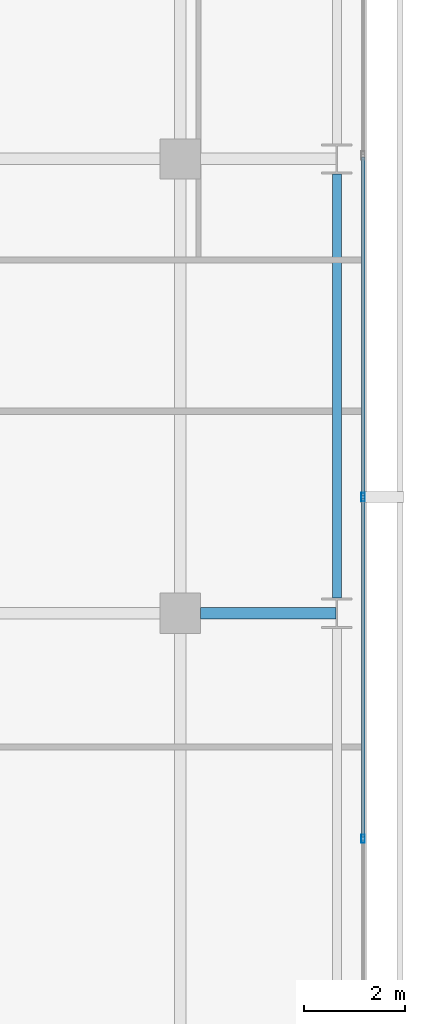
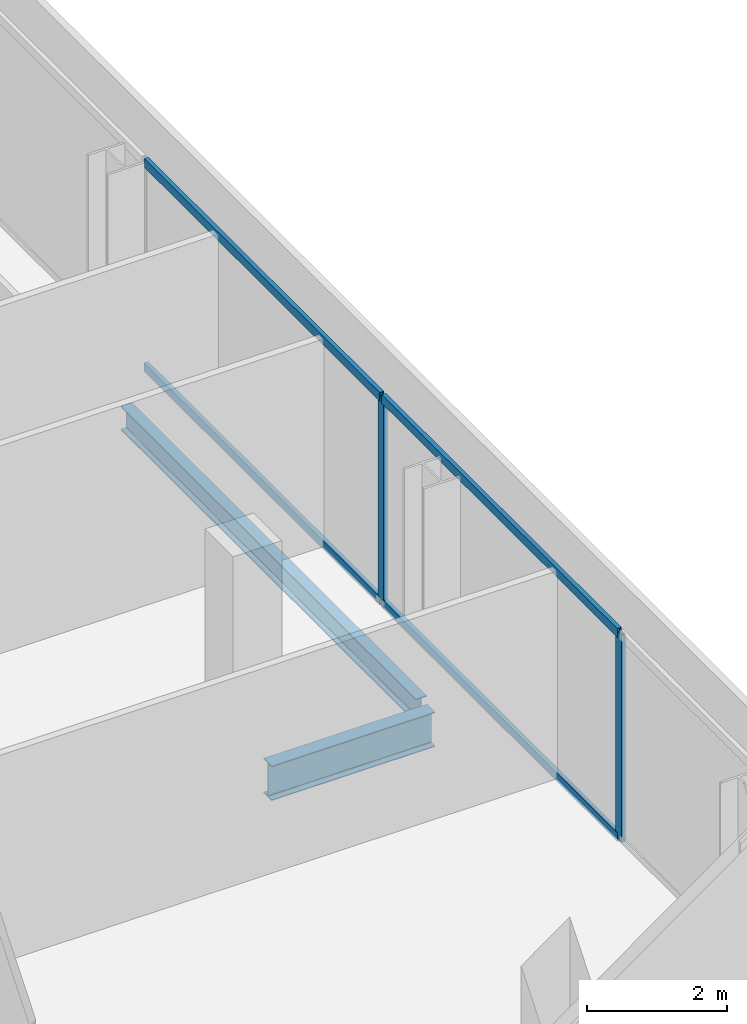
# One storey, part 17 of 33: 6 members, 2 beams, 1 element without a shape of its own.
"""IFC4 building model written with IfcOpenShell, lengths in metres."""

import ifcopenshell
import ifcopenshell.guid

model = None  # the IFC model being written
_history = None  # IfcOwnerHistory: only IFC2X3 demands one
_inside = {}  # id of a spatial element -> (the spatial element, [elements in it])
_under = {}  # id of a project, library or spatial element -> (it, [spatial elements below it])
_declared = {}  # id of a project -> (the project, [libraries it declares])
_typed = {}  # id of a type object -> (the type object, [elements of that type])
_made_of = {}  # id of a material, layer set ... -> (it, [elements and type objects made of it])


def new_model(schema):
    """Start an empty IFC model of exactly this schema.

    Asked for "IFC4X3", IfcOpenShell would pick the latest addendum, in which some entities
    have other attributes; the version numbers below select the first issue.
    IFC2X3 requires an IfcOwnerHistory on every rooted entity: one is made here for all.
    """
    global model, _history
    if schema == "IFC4X3":
        model = ifcopenshell.file(schema_version=(4, 3, 0, 0))
    else:
        model = ifcopenshell.file(schema=schema)
    _inside.clear()
    _under.clear()
    _declared.clear()
    _typed.clear()
    _made_of.clear()
    _history = None
    if model.schema == "IFC2X3":
        org = make("IfcOrganization", Name="unknown")
        user = make(
            "IfcPersonAndOrganization",
            ThePerson=make("IfcPerson", FamilyName="unknown"),
            TheOrganization=org,
        )
        app = make(
            "IfcApplication",
            ApplicationDeveloper=org,
            Version="unknown",
            ApplicationFullName="unknown",
            ApplicationIdentifier="unknown",
        )
        _history = make(
            "IfcOwnerHistory",
            OwningUser=user,
            OwningApplication=app,
            ChangeAction="ADDED",
            CreationDate=0,
        )
    return model


def make(cls, **values):
    """One entity of the class cls with the attributes given. An attribute that is None is left unset."""
    return model.create_entity(
        cls, **{name: value for name, value in values.items() if value is not None}
    )


def rooted(cls, **values):
    """An entity with a GlobalId (a new one), such as an element, a storey or a relation."""
    return make(cls, GlobalId=ifcopenshell.guid.new(), OwnerHistory=_history, **values)


def si_unit(unit_type, name, prefix=None):
    """IfcSIUnit, for example si_unit("LENGTHUNIT", "METRE", prefix="MILLI")."""
    return make("IfcSIUnit", UnitType=unit_type, Prefix=prefix, Name=name)


def assignment(units):
    """IfcUnitAssignment: the units of a project."""
    return None if units is None else make("IfcUnitAssignment", Units=units)


def point(xyz):
    """IfcCartesianPoint."""
    return None if xyz is None else make("IfcCartesianPoint", Coordinates=xyz)


def direction(xyz):
    """IfcDirection."""
    return None if xyz is None else make("IfcDirection", DirectionRatios=xyz)


def frame(location, z_axis=None, x_axis=None):
    """IfcAxis2Placement3D, a coordinate frame: its origin and axes. An axis left out is left unset."""
    return make(
        "IfcAxis2Placement3D",
        Location=point(location),
        Axis=direction(z_axis),
        RefDirection=direction(x_axis),
    )


def frame_2d(location, x_axis=None):
    """IfcAxis2Placement2D, a coordinate frame in the plane: its origin and x axis."""
    return make(
        "IfcAxis2Placement2D", Location=point(location), RefDirection=direction(x_axis)
    )


def origin():
    """The frame at (0, 0, 0) with its axes left unset."""
    return frame((0.0, 0.0, 0.0))


def origin_2d():
    """The frame at (0, 0) in the plane with its x axis left unset."""
    return frame_2d((0.0, 0.0))


def place(relative_to, where):
    """IfcLocalPlacement: puts the frame where relative to a parent placement (None: the world)."""
    return make(
        "IfcLocalPlacement", PlacementRelTo=relative_to, RelativePlacement=where
    )


def context(
    kind, dimensions, precision=None, world=None, true_north=None, identifier=None
):
    """IfcGeometricRepresentationContext, for example the 3D "Model" context."""
    return make(
        "IfcGeometricRepresentationContext",
        ContextIdentifier=identifier,
        ContextType=kind,
        CoordinateSpaceDimension=dimensions,
        Precision=precision,
        WorldCoordinateSystem=world,
        TrueNorth=true_north,
    )


def subcontext(parent, identifier, kind, view, scale=None):
    """IfcGeometricRepresentationSubContext, for example "Body" below "Model"."""
    return make(
        "IfcGeometricRepresentationSubContext",
        ContextIdentifier=identifier,
        ContextType=kind,
        ParentContext=parent,
        TargetScale=scale,
        TargetView=view,
    )


def project(units=None, contexts=None):
    """IfcProject with its units and contexts."""
    return rooted(
        "IfcProject",
        Name="project",
        RepresentationContexts=contexts,
        UnitsInContext=assignment(units),
    )


def spatial(cls, under=None, at=None, **own):
    """A site, building, storey or space (cls), placed at a placement, below another one or the project."""
    s = rooted(cls, ObjectPlacement=at, **own)
    if under is not None:
        _under.setdefault(under.id(), (under, []))[1].append(s)
    return s


def profile(cls, at=None, kind="AREA", **sizes):
    """A parametric profile (cls). Its sizes go by their IFC names, for example OverallWidth=200.0."""
    return make(cls, ProfileType=kind, Position=at, **sizes)


def hollow_rectangle(**sizes):
    """IfcRectangleHollowProfileDef."""
    return profile("IfcRectangleHollowProfileDef", **sizes)


def i_section(**sizes):
    """IfcIShapeProfileDef."""
    return profile("IfcIShapeProfileDef", **sizes)


def extrude(swept, where, along, depth):
    """IfcExtrudedAreaSolid: the profile swept, set in the frame where, extruded along a direction by depth."""
    return make(
        "IfcExtrudedAreaSolid",
        SweptArea=swept,
        Position=where,
        ExtrudedDirection=direction(along),
        Depth=depth,
    )


def shape(context_of_items, identifier, shape_type, items):
    """IfcShapeRepresentation: the items that make up one representation, for example the "Body"."""
    return make(
        "IfcShapeRepresentation",
        ContextOfItems=context_of_items,
        RepresentationIdentifier=identifier,
        RepresentationType=shape_type,
        Items=items,
    )


def material(Name=None, Category=None):
    """IfcMaterial."""
    return make("IfcMaterial", Name=Name, Category=Category)


def layer(
    of_material, thickness, ventilated=None, Name=None, Category=None, Priority=None
):
    """IfcMaterialLayer: one layer of a wall or slab, of a material (None: an air gap)."""
    return make(
        "IfcMaterialLayer",
        Material=of_material,
        LayerThickness=thickness,
        IsVentilated=ventilated,
        Name=Name,
        Category=Category,
        Priority=Priority,
    )


def layer_set(layers, Name=None):
    """IfcMaterialLayerSet."""
    return make("IfcMaterialLayerSet", MaterialLayers=layers, LayerSetName=Name)


def material_profile(
    of_material, cross_section, Name=None, Category=None, Priority=None
):
    """IfcMaterialProfile: a cross section and its material."""
    return make(
        "IfcMaterialProfile",
        Name=Name,
        Material=of_material,
        Profile=cross_section,
        Priority=Priority,
        Category=Category,
    )


def profile_set(profiles, Name=None, composite=None):
    """IfcMaterialProfileSet."""
    return make(
        "IfcMaterialProfileSet",
        Name=Name,
        MaterialProfiles=profiles,
        CompositeProfile=composite,
    )


def made_of(thing, what):
    """Note that an element or type object is made of a material, layer set ...; save() writes the relation."""
    if what is not None:
        _made_of.setdefault(what.id(), (what, []))[1].append(thing)
    return thing


def type_object(cls, material=None, **own):
    """A type object (cls), such as IfcWallType, which elements share."""
    return made_of(rooted(cls, **own), material)


def element(
    cls,
    number,
    at=None,
    inside=None,
    cuts=None,
    type_object=None,
    material=None,
    context=None,
    identifier="Body",
    shape_type=None,
    held_by="IfcProductDefinitionShape",
    body=None,
    shapes=None,
    **own,
):
    """One element of the class cls, such as IfcWall. Its Tag is "e" and its number.

    at: its placement. inside: the storey or other place that contains it. cuts: it is an
    opening in that element (IfcRelVoidsElement). A single representation is given by context,
    identifier, shape_type and body (its items); several are given by shapes. held_by: the class
    of the entity that holds the representations. save() writes the other relations.
    """
    e = rooted(cls, Tag="e%d" % number, ObjectPlacement=at, **own)
    if body is not None:
        shapes = [shape(context, identifier, shape_type, body)]
    if shapes is not None:
        e.Representation = make(held_by, Representations=shapes)
    if inside is not None:
        _inside.setdefault(inside.id(), (inside, []))[1].append(e)
    if cuts is not None:
        rooted(
            "IfcRelVoidsElement", RelatingBuildingElement=cuts, RelatedOpeningElement=e
        )
    if type_object is not None:
        _typed.setdefault(type_object.id(), (type_object, []))[1].append(e)
    return made_of(e, material)


def aggregate(whole, parts):
    """IfcRelAggregates: a whole, such as a stair, and the parts it consists of."""
    return rooted("IfcRelAggregates", RelatingObject=whole, RelatedObjects=parts)


def save(model, path):
    """Write the relations noted so far, then the file.

    IfcRelAggregates (storeys below a building ...), IfcRelContainedInSpatialStructure (elements
    in a storey), IfcRelDefinesByType, IfcRelAssociatesMaterial and IfcRelDeclares: one each for
    every whole, place, type object, material and project.
    """
    for whole, parts in _under.values():
        aggregate(whole, parts)
    for where, things in _inside.values():
        rooted(
            "IfcRelContainedInSpatialStructure",
            RelatedElements=things,
            RelatingStructure=where,
        )
    for kind, things in _typed.values():
        rooted("IfcRelDefinesByType", RelatedObjects=things, RelatingType=kind)
    for what, things in _made_of.values():
        rooted("IfcRelAssociatesMaterial", RelatedObjects=things, RelatingMaterial=what)
    for by, libraries in _declared.values():
        rooted("IfcRelDeclares", RelatingContext=by, RelatedDefinitions=libraries)
    model.write(path)


model = new_model("IFC4")

# Units and contexts
model_context = context("Model", 3, precision=1e-05, world=origin(), true_north=direction((0.0, 1.0)))
body_context = subcontext(model_context, "Body", "Model", "MODEL_VIEW")
ifc_project = project(units=[si_unit("LENGTHUNIT", "METRE"), si_unit("AREAUNIT", "SQUARE_METRE"), si_unit("VOLUMEUNIT", "CUBIC_METRE"), si_unit("PLANEANGLEUNIT", "RADIAN"), si_unit("MASSUNIT", "GRAM", prefix="KILO")], contexts=[model_context])

# Site, building, storey
site_placement = place(None, origin())
site = spatial("IfcSite", under=ifc_project, at=site_placement, CompositionType="ELEMENT")
building_placement = place(site_placement, origin())
building = spatial("IfcBuilding", under=site, at=building_placement, Name="Maruvema Waterfront Hotel and Observation Tower", CompositionType="ELEMENT")
storey_placement = place(building_placement, frame((0.0, 0.0, 169.75)))
storey = spatial("IfcBuildingStorey", under=building, at=storey_placement, Name="L41", CompositionType="ELEMENT", Elevation=169.75)

# Curtain wall, members
ifc_material_1 = material(Name="Anodised bronze aluminium and solar-control low-E IGU", Category="aluminium")
ifc_layer = layer(ifc_material_1, 0.159912109375, Name="Zone 2 Amber Inner Thermal Curtain Wall System CW-03")
ifc_layer_set = layer_set([ifc_layer], Name="Anodised bronze aluminium and solar-control low-E IGU")
curtain_wall_type = type_object("IfcCurtainWallType", Name="Zone 2 Amber Inner Thermal Curtain Wall System CW-03", PredefinedType="USERDEFINED", material=ifc_layer_set)
curtain_wall_placement = place(storey_placement, origin())
curtain_wall = element("IfcCurtainWall", 1, at=curtain_wall_placement, inside=storey, type_object=curtain_wall_type, Name="L41 Curtain Wall CW-L41-E", ObjectType="UNITISED CURTAIN WALL", PredefinedType="USERDEFINED")
ifc_material_2 = material(Name="Anodised architectural bronze aluminium", Category="aluminium")
ifc_material_profile_1 = material_profile(ifc_material_2, hollow_rectangle(XDim=0.070068359375, YDim=0.14990234375, WallThickness=0.00390625, at=origin_2d()), Name="ALU-T70x150")
ifc_profile_set_1 = profile_set([ifc_material_profile_1], Name="Anodised architectural bronze aluminium")
member_type_1 = type_object("IfcMemberType", Name="Curtain Wall Horizontal Transom ALU-T70x150", PredefinedType="USERDEFINED", material=ifc_profile_set_1)
member_1_placement = place(storey_placement, frame((62.419921875, 22.563232421875, 0.030029296875), z_axis=(0.0, 1.0, 0.0), x_axis=(-1.0, 0.0, 0.0)))
member_1 = element("IfcMember", 2, at=member_1_placement, type_object=member_type_1, Name="CW-03 transom 3.1", ObjectType="TRANSOM", PredefinedType="USERDEFINED", context=body_context, shape_type="SweptSolid", body=[
    extrude(hollow_rectangle(XDim=0.070068359375, YDim=0.14990234375, WallThickness=0.00390625, at=origin_2d()), origin(), (0.0, 0.0, 1.0), 6.706787109375),
])
member_2_placement = place(storey_placement, frame((62.419921875, 22.563232421875, 3.580078125), z_axis=(0.0, 1.0, 0.0), x_axis=(-1.0, 0.0, 0.0)))
member_2 = element("IfcMember", 3, at=member_2_placement, type_object=member_type_1, Name="CW-03 transom 3.2", ObjectType="TRANSOM", PredefinedType="USERDEFINED", context=body_context, shape_type="SweptSolid", body=[
    extrude(hollow_rectangle(XDim=0.070068359375, YDim=0.14990234375, WallThickness=0.00390625, at=origin_2d()), origin(), (0.0, 0.0, 1.0), 6.706787109375),
])
member_3_placement = place(storey_placement, frame((62.419921875, 29.330078125, 0.030029296875), z_axis=(0.0, 1.0, 0.0), x_axis=(-1.0, 0.0, 0.0)))
member_3 = element("IfcMember", 4, at=member_3_placement, type_object=member_type_1, Name="CW-03 transom 4.1", ObjectType="TRANSOM", PredefinedType="USERDEFINED", context=body_context, shape_type="SweptSolid", body=[
    extrude(hollow_rectangle(XDim=0.070068359375, YDim=0.14990234375, WallThickness=0.00390625, at=origin_2d()), origin(), (0.0, 0.0, 1.0), 6.70654296875),
])
member_4_placement = place(storey_placement, frame((62.419921875, 29.330078125, 3.580078125), z_axis=(0.0, 1.0, 0.0), x_axis=(-1.0, 0.0, 0.0)))
member_4 = element("IfcMember", 5, at=member_4_placement, type_object=member_type_1, Name="CW-03 transom 4.2", ObjectType="TRANSOM", PredefinedType="USERDEFINED", context=body_context, shape_type="SweptSolid", body=[
    extrude(hollow_rectangle(XDim=0.070068359375, YDim=0.14990234375, WallThickness=0.00390625, at=origin_2d()), origin(), (0.0, 0.0, 1.0), 6.70654296875),
])
ifc_material_3 = material(Name="Anodised architectural bronze aluminium", Category="aluminium")
ifc_material_profile_2 = material_profile(ifc_material_3, hollow_rectangle(XDim=0.06494140625, YDim=0.1650390625, WallThickness=0.00390625, at=origin_2d()), Name="ALU-M65x165")
ifc_profile_set_2 = profile_set([ifc_material_profile_2], Name="Anodised architectural bronze aluminium")
member_type_2 = type_object("IfcMemberType", Name="Curtain Wall Primary Mullion ALU-M65x165", PredefinedType="MULLION", material=ifc_profile_set_2)
member_5_placement = place(storey_placement, frame((62.419921875, 22.533447265625, 0.0), z_axis=(0.0, 0.0, 1.0), x_axis=(-1.0, 0.0, 0.0)))
member_5 = element("IfcMember", 6, at=member_5_placement, type_object=member_type_2, Name="CW-03 mullion 3", PredefinedType="MULLION", context=body_context, shape_type="SweptSolid", body=[
    extrude(hollow_rectangle(XDim=0.06494140625, YDim=0.1650390625, WallThickness=0.00390625, at=origin_2d()), origin(), (0.0, 0.0, 1.0), 3.610107421875),
])
member_6_placement = place(storey_placement, frame((62.419921875, 29.300048828125, 0.0), z_axis=(0.0, 0.0, 1.0), x_axis=(-1.0, 0.0, 0.0)))
member_6 = element("IfcMember", 7, at=member_6_placement, type_object=member_type_2, Name="CW-03 mullion 4", PredefinedType="MULLION", context=body_context, shape_type="SweptSolid", body=[
    extrude(hollow_rectangle(XDim=0.06494140625, YDim=0.1650390625, WallThickness=0.00390625, at=origin_2d()), origin(), (0.0, 0.0, 1.0), 3.610107421875),
])
aggregate(curtain_wall, [member_5, member_6, member_1, member_2, member_3, member_4])

# Beams
ifc_material_4 = material(Name="Steel ASTM A572 Grade 50", Category="steel")
ifc_material_profile_3 = material_profile(ifc_material_4, i_section(OverallWidth=0.180908203125, OverallDepth=0.4169921875, WebThickness=0.010986328125, FlangeThickness=0.018310546875, FilletRadius=0.014892578125, at=origin_2d()), Name="W410x85.0")
ifc_profile_set_3 = profile_set([ifc_material_profile_3], Name="Steel ASTM A572 Grade 50")
beam_type_1 = type_object("IfcBeamType", Name="Perimeter Spandrel Beam W410x85.0", PredefinedType="SPANDREL", material=ifc_profile_set_3)
beam_1_placement = place(storey_placement, frame((61.89990234375, 27.300048828125, -0.448486328125), z_axis=(0.0, 1.0, 0.0), x_axis=(-1.0, 0.0, 0.0)))
element("IfcBeam", 8, at=beam_1_placement, inside=storey, type_object=beam_type_1, Name="L41 Floor Girder NS-31", PredefinedType="SPANDREL", context=body_context, shape_type="SweptSolid", body=[
    extrude(i_section(OverallWidth=0.180908203125, OverallDepth=0.4169921875, WebThickness=0.010986328125, FlangeThickness=0.018310546875, FilletRadius=0.014892578125, at=origin_2d()), origin(), (0.0, 0.0, 1.0), 8.39990234375),
])
ifc_material_5 = material(Name="Steel ASTM A572 Grade 50", Category="steel")
ifc_material_profile_4 = material_profile(ifc_material_5, i_section(OverallWidth=0.22802734375, OverallDepth=0.60302734375, WebThickness=0.010498046875, FlangeThickness=0.014892578125, FilletRadius=0.01806640625, at=origin_2d()), Name="W610x101.0")
ifc_profile_set_4 = profile_set([ifc_material_profile_4], Name="Steel ASTM A572 Grade 50")
beam_type_2 = type_object("IfcBeamType", Name="Primary Floor Girder W610x101.0", PredefinedType="BEAM", material=ifc_profile_set_4)
beam_2_placement = place(storey_placement, frame((59.199951171875, 27.0, -0.54150390625), z_axis=(1.0, 0.0, 0.0), x_axis=(0.0, 1.0, 0.0)))
element("IfcBeam", 9, at=beam_2_placement, inside=storey, type_object=beam_type_2, Name="L41 Floor Girder EW-22", PredefinedType="BEAM", context=body_context, shape_type="SweptSolid", body=[
    extrude(i_section(OverallWidth=0.22802734375, OverallDepth=0.60302734375, WebThickness=0.010498046875, FlangeThickness=0.014892578125, FilletRadius=0.01806640625, at=origin_2d()), origin(), (0.0, 0.0, 1.0), 2.6875),
])

save(model, "model.ifc")
